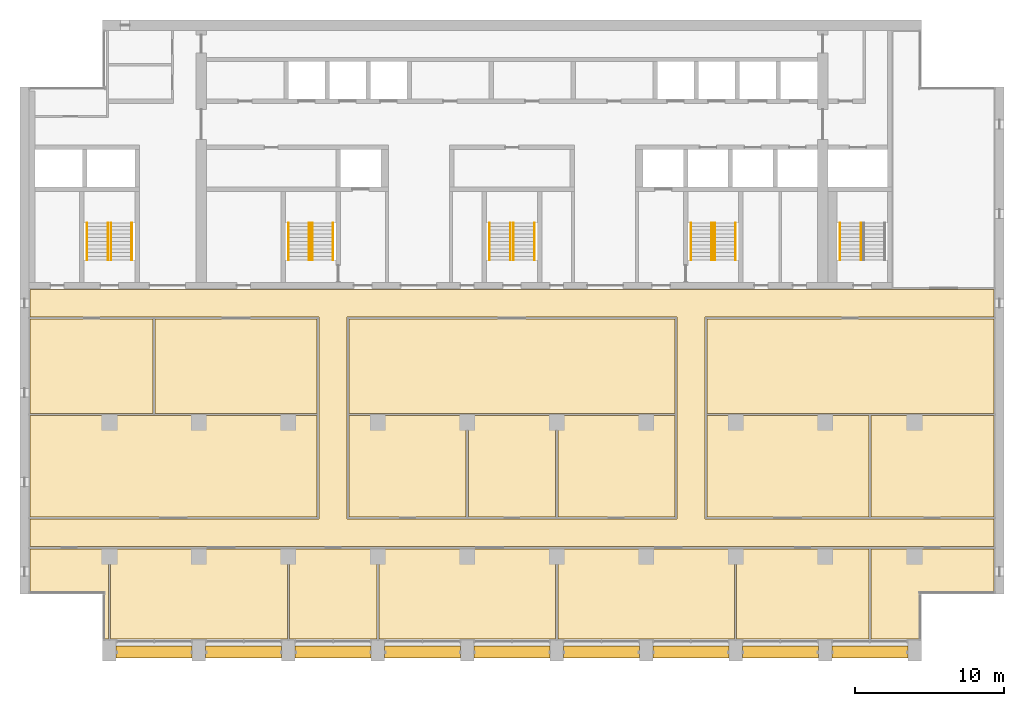
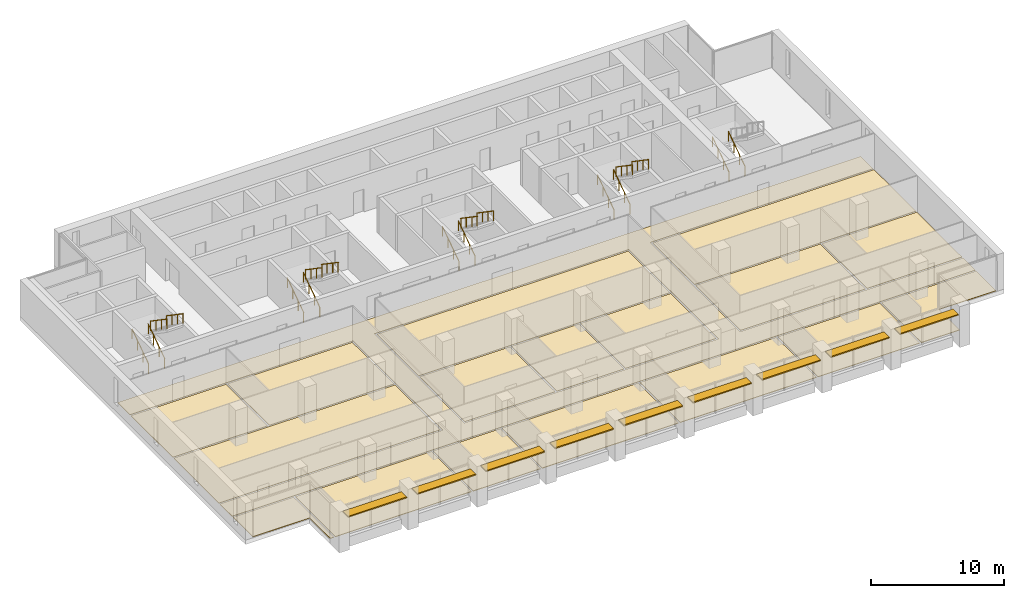
# One storey, part 16 of 17: 18 coverings, 18 railings, 9 shading devices, 5 elements without a shape of their own.
"""IFC4 building model written with IfcOpenShell, lengths in metres."""

import ifcopenshell
import ifcopenshell.guid

model = None  # the IFC model being written
_history = None  # IfcOwnerHistory: only IFC2X3 demands one
_inside = {}  # id of a spatial element -> (the spatial element, [elements in it])
_under = {}  # id of a project, library or spatial element -> (it, [spatial elements below it])
_declared = {}  # id of a project -> (the project, [libraries it declares])
_typed = {}  # id of a type object -> (the type object, [elements of that type])
_made_of = {}  # id of a material, layer set ... -> (it, [elements and type objects made of it])


def new_model(schema):
    """Start an empty IFC model of exactly this schema.

    Asked for "IFC4X3", IfcOpenShell would pick the latest addendum, in which some entities
    have other attributes; the version numbers below select the first issue.
    IFC2X3 requires an IfcOwnerHistory on every rooted entity: one is made here for all.
    """
    global model, _history
    if schema == "IFC4X3":
        model = ifcopenshell.file(schema_version=(4, 3, 0, 0))
    else:
        model = ifcopenshell.file(schema=schema)
    _inside.clear()
    _under.clear()
    _declared.clear()
    _typed.clear()
    _made_of.clear()
    _history = None
    if model.schema == "IFC2X3":
        org = make("IfcOrganization", Name="unknown")
        user = make(
            "IfcPersonAndOrganization",
            ThePerson=make("IfcPerson", FamilyName="unknown"),
            TheOrganization=org,
        )
        app = make(
            "IfcApplication",
            ApplicationDeveloper=org,
            Version="unknown",
            ApplicationFullName="unknown",
            ApplicationIdentifier="unknown",
        )
        _history = make(
            "IfcOwnerHistory",
            OwningUser=user,
            OwningApplication=app,
            ChangeAction="ADDED",
            CreationDate=0,
        )
    return model


def make(cls, **values):
    """One entity of the class cls with the attributes given. An attribute that is None is left unset."""
    return model.create_entity(
        cls, **{name: value for name, value in values.items() if value is not None}
    )


def rooted(cls, **values):
    """An entity with a GlobalId (a new one), such as an element, a storey or a relation."""
    return make(cls, GlobalId=ifcopenshell.guid.new(), OwnerHistory=_history, **values)


def si_unit(unit_type, name, prefix=None):
    """IfcSIUnit, for example si_unit("LENGTHUNIT", "METRE", prefix="MILLI")."""
    return make("IfcSIUnit", UnitType=unit_type, Prefix=prefix, Name=name)


def assignment(units):
    """IfcUnitAssignment: the units of a project."""
    return None if units is None else make("IfcUnitAssignment", Units=units)


def point(xyz):
    """IfcCartesianPoint."""
    return None if xyz is None else make("IfcCartesianPoint", Coordinates=xyz)


def direction(xyz):
    """IfcDirection."""
    return None if xyz is None else make("IfcDirection", DirectionRatios=xyz)


def frame(location, z_axis=None, x_axis=None):
    """IfcAxis2Placement3D, a coordinate frame: its origin and axes. An axis left out is left unset."""
    return make(
        "IfcAxis2Placement3D",
        Location=point(location),
        Axis=direction(z_axis),
        RefDirection=direction(x_axis),
    )


def frame_2d(location, x_axis=None):
    """IfcAxis2Placement2D, a coordinate frame in the plane: its origin and x axis."""
    return make(
        "IfcAxis2Placement2D", Location=point(location), RefDirection=direction(x_axis)
    )


def origin():
    """The frame at (0, 0, 0) with its axes left unset."""
    return frame((0.0, 0.0, 0.0))


def origin_2d():
    """The frame at (0, 0) in the plane with its x axis left unset."""
    return frame_2d((0.0, 0.0))


def place(relative_to, where):
    """IfcLocalPlacement: puts the frame where relative to a parent placement (None: the world)."""
    return make(
        "IfcLocalPlacement", PlacementRelTo=relative_to, RelativePlacement=where
    )


def context(
    kind, dimensions, precision=None, world=None, true_north=None, identifier=None
):
    """IfcGeometricRepresentationContext, for example the 3D "Model" context."""
    return make(
        "IfcGeometricRepresentationContext",
        ContextIdentifier=identifier,
        ContextType=kind,
        CoordinateSpaceDimension=dimensions,
        Precision=precision,
        WorldCoordinateSystem=world,
        TrueNorth=true_north,
    )


def subcontext(parent, identifier, kind, view, scale=None):
    """IfcGeometricRepresentationSubContext, for example "Body" below "Model"."""
    return make(
        "IfcGeometricRepresentationSubContext",
        ContextIdentifier=identifier,
        ContextType=kind,
        ParentContext=parent,
        TargetScale=scale,
        TargetView=view,
    )


def project(units=None, contexts=None):
    """IfcProject with its units and contexts."""
    return rooted(
        "IfcProject",
        Name="project",
        RepresentationContexts=contexts,
        UnitsInContext=assignment(units),
    )


def spatial(cls, under=None, at=None, **own):
    """A site, building, storey or space (cls), placed at a placement, below another one or the project."""
    s = rooted(cls, ObjectPlacement=at, **own)
    if under is not None:
        _under.setdefault(under.id(), (under, []))[1].append(s)
    return s


def polyline(points):
    """IfcPolyline through the points."""
    return make("IfcPolyline", Points=[point(p) for p in points])


def profile(cls, at=None, kind="AREA", **sizes):
    """A parametric profile (cls). Its sizes go by their IFC names, for example OverallWidth=200.0."""
    return make(cls, ProfileType=kind, Position=at, **sizes)


def rectangle(**sizes):
    """IfcRectangleProfileDef."""
    return profile("IfcRectangleProfileDef", **sizes)


def circle(**sizes):
    """IfcCircleProfileDef."""
    return profile("IfcCircleProfileDef", **sizes)


def outline(outer, holes=None, kind="AREA"):
    """IfcArbitraryClosedProfileDef: a profile drawn as a closed curve; with holes, ...WithVoids."""
    if holes is None:
        return make("IfcArbitraryClosedProfileDef", ProfileType=kind, OuterCurve=outer)
    return make(
        "IfcArbitraryProfileDefWithVoids",
        ProfileType=kind,
        OuterCurve=outer,
        InnerCurves=holes,
    )


def extrude(swept, where, along, depth):
    """IfcExtrudedAreaSolid: the profile swept, set in the frame where, extruded along a direction by depth."""
    return make(
        "IfcExtrudedAreaSolid",
        SweptArea=swept,
        Position=where,
        ExtrudedDirection=direction(along),
        Depth=depth,
    )


def shape(context_of_items, identifier, shape_type, items):
    """IfcShapeRepresentation: the items that make up one representation, for example the "Body"."""
    return make(
        "IfcShapeRepresentation",
        ContextOfItems=context_of_items,
        RepresentationIdentifier=identifier,
        RepresentationType=shape_type,
        Items=items,
    )


def material(Name=None, Category=None):
    """IfcMaterial."""
    return make("IfcMaterial", Name=Name, Category=Category)


def layer(
    of_material, thickness, ventilated=None, Name=None, Category=None, Priority=None
):
    """IfcMaterialLayer: one layer of a wall or slab, of a material (None: an air gap)."""
    return make(
        "IfcMaterialLayer",
        Material=of_material,
        LayerThickness=thickness,
        IsVentilated=ventilated,
        Name=Name,
        Category=Category,
        Priority=Priority,
    )


def layer_set(layers, Name=None):
    """IfcMaterialLayerSet."""
    return make("IfcMaterialLayerSet", MaterialLayers=layers, LayerSetName=Name)


def material_profile(
    of_material, cross_section, Name=None, Category=None, Priority=None
):
    """IfcMaterialProfile: a cross section and its material."""
    return make(
        "IfcMaterialProfile",
        Name=Name,
        Material=of_material,
        Profile=cross_section,
        Priority=Priority,
        Category=Category,
    )


def profile_set(profiles, Name=None, composite=None):
    """IfcMaterialProfileSet."""
    return make(
        "IfcMaterialProfileSet",
        Name=Name,
        MaterialProfiles=profiles,
        CompositeProfile=composite,
    )


def made_of(thing, what):
    """Note that an element or type object is made of a material, layer set ...; save() writes the relation."""
    if what is not None:
        _made_of.setdefault(what.id(), (what, []))[1].append(thing)
    return thing


def type_object(cls, material=None, **own):
    """A type object (cls), such as IfcWallType, which elements share."""
    return made_of(rooted(cls, **own), material)


def element(
    cls,
    number,
    at=None,
    inside=None,
    cuts=None,
    type_object=None,
    material=None,
    context=None,
    identifier="Body",
    shape_type=None,
    held_by="IfcProductDefinitionShape",
    body=None,
    shapes=None,
    **own,
):
    """One element of the class cls, such as IfcWall. Its Tag is "e" and its number.

    at: its placement. inside: the storey or other place that contains it. cuts: it is an
    opening in that element (IfcRelVoidsElement). A single representation is given by context,
    identifier, shape_type and body (its items); several are given by shapes. held_by: the class
    of the entity that holds the representations. save() writes the other relations.
    """
    e = rooted(cls, Tag="e%d" % number, ObjectPlacement=at, **own)
    if body is not None:
        shapes = [shape(context, identifier, shape_type, body)]
    if shapes is not None:
        e.Representation = make(held_by, Representations=shapes)
    if inside is not None:
        _inside.setdefault(inside.id(), (inside, []))[1].append(e)
    if cuts is not None:
        rooted(
            "IfcRelVoidsElement", RelatingBuildingElement=cuts, RelatedOpeningElement=e
        )
    if type_object is not None:
        _typed.setdefault(type_object.id(), (type_object, []))[1].append(e)
    return made_of(e, material)


def aggregate(whole, parts):
    """IfcRelAggregates: a whole, such as a stair, and the parts it consists of."""
    return rooted("IfcRelAggregates", RelatingObject=whole, RelatedObjects=parts)


def save(model, path):
    """Write the relations noted so far, then the file.

    IfcRelAggregates (storeys below a building ...), IfcRelContainedInSpatialStructure (elements
    in a storey), IfcRelDefinesByType, IfcRelAssociatesMaterial and IfcRelDeclares: one each for
    every whole, place, type object, material and project.
    """
    for whole, parts in _under.values():
        aggregate(whole, parts)
    for where, things in _inside.values():
        rooted(
            "IfcRelContainedInSpatialStructure",
            RelatedElements=things,
            RelatingStructure=where,
        )
    for kind, things in _typed.values():
        rooted("IfcRelDefinesByType", RelatedObjects=things, RelatingType=kind)
    for what, things in _made_of.values():
        rooted("IfcRelAssociatesMaterial", RelatedObjects=things, RelatingMaterial=what)
    for by, libraries in _declared.values():
        rooted("IfcRelDeclares", RelatingContext=by, RelatedDefinitions=libraries)
    model.write(path)


model = new_model("IFC4")

# Units and contexts
model_context = context("Model", 3, precision=1e-05, world=origin(), true_north=direction((0.0, 1.0)))
body_context = subcontext(model_context, "Body", "Model", "MODEL_VIEW")
ifc_project = project(units=[si_unit("LENGTHUNIT", "METRE"), si_unit("AREAUNIT", "SQUARE_METRE"), si_unit("VOLUMEUNIT", "CUBIC_METRE"), si_unit("PLANEANGLEUNIT", "RADIAN"), si_unit("MASSUNIT", "GRAM", prefix="KILO")], contexts=[model_context])

# Site, building, storey
site_placement = place(None, origin())
site = spatial("IfcSite", under=ifc_project, at=site_placement, CompositionType="ELEMENT")
building_placement = place(site_placement, origin())
building = spatial("IfcBuilding", under=site, at=building_placement, Name="Calvaro Tower", CompositionType="ELEMENT")
storey_placement = place(building_placement, frame((0.0, 0.0, 200.5)))
storey = spatial("IfcBuildingStorey", under=building, at=storey_placement, Name="L50", CompositionType="ELEMENT", Elevation=200.5)

# Shading devices
ifc_material_1 = material(Name="Anodised aluminium", Category="aluminium")
ifc_material_profile = material_profile(ifc_material_1, rectangle(XDim=0.800048828125, YDim=0.10009765625, at=origin_2d()), Name="Brise-soleil blade 800 x 100")
ifc_profile_set = profile_set([ifc_material_profile], Name="Anodised aluminium")
shading_device_type = type_object("IfcShadingDeviceType", Name="Brise-soleil blade 800 x 100", PredefinedType="JALOUSIE", material=ifc_profile_set)
for number, where, z_axis, x_axis, name in (
    (1, (12.449951171875, 3.60009765625, 2.5), (1.0, 0.0, 0.0), (0.0, 1.0, 0.0), "Brise-soleil blade 1"),
    (2, (18.449951171875, 3.60009765625, 2.5), (1.0, 0.0, 0.0), (0.0, 1.0, 0.0), "Brise-soleil blade 2"),
    (3, (24.449951171875, 3.60009765625, 2.5), (1.0, 0.0, 0.0), (0.0, 1.0, 0.0), "Brise-soleil blade 3"),
    (4, (30.449951171875, 3.60009765625, 2.5), (1.0, 0.0, 0.0), (0.0, 1.0, 0.0), "Brise-soleil blade 4"),
    (5, (36.449951171875, 3.60009765625, 2.5), (1.0, 0.0, 0.0), (0.0, 1.0, 0.0), "Brise-soleil blade 5"),
    (6, (42.449951171875, 3.60009765625, 2.5), (1.0, 0.0, 0.0), (0.0, 1.0, 0.0), "Brise-soleil blade 6"),
    (7, (48.449951171875, 3.60009765625, 2.5), (1.0, 0.0, 0.0), (0.0, 1.0, 0.0), "Brise-soleil blade 7"),
    (8, (54.449951171875, 3.60009765625, 2.5), (1.0, 0.0, 0.0), (0.0, 1.0, 0.0), "Brise-soleil blade 8"),
    (9, (60.449951171875, 3.60009765625, 2.5), (1.0, 0.0, 0.0), (0.0, 1.0, 0.0), "Brise-soleil blade 9"),
):
    element("IfcShadingDevice", number, at=place(storey_placement, frame(where, z_axis=z_axis, x_axis=x_axis)), inside=storey, type_object=shading_device_type, Name=name, PredefinedType="JALOUSIE", context=body_context, shape_type="SweptSolid", body=[
        extrude(rectangle(XDim=0.800048828125, YDim=0.10009765625, at=origin_2d()), origin(), (0.0, 0.0, 1.0), 5.10009765625),
    ])

# Coverings
ifc_material_2 = material(Name="Cement screed with carpet tile finish")
ifc_layer = layer(ifc_material_2, 0.050048828125)
ifc_layer_set = layer_set([ifc_layer], Name="Cement screed with carpet tile finish")
covering_type = type_object("IfcCoveringType", Name="Floor finish 50", PredefinedType="FLOORING", material=ifc_layer_set)
covering_1_placement = place(storey_placement, origin())
element("IfcCovering", 10, at=covering_1_placement, inside=storey, type_object=covering_type, Name="Floor finish 29.01", PredefinedType="FLOORING", context=body_context, shape_type="SweptSolid", body=[
    extrude(outline(polyline([(6.669921875, 10.669921875), (6.669921875, 12.530029296875), (26.070068359375, 12.530029296875), (26.070068359375, 26.070068359375), (6.669921875, 26.070068359375), (6.669921875, 27.929931640625), (71.330078125, 27.929931640625), (71.330078125, 26.070068359375), (51.929931640625, 26.070068359375), (51.929931640625, 12.530029296875), (71.330078125, 12.530029296875), (71.330078125, 10.669921875), (6.669921875, 10.669921875)]), holes=[polyline([(50.070068359375, 12.530029296875), (50.070068359375, 26.070068359375), (27.929931640625, 26.070068359375), (27.929931640625, 12.530029296875), (50.070068359375, 12.530029296875)])]), origin(), (0.0, 0.0, 1.0), 0.050048828125),
])
covering_2_placement = place(storey_placement, origin())
element("IfcCovering", 11, at=covering_2_placement, inside=storey, type_object=covering_type, Name="Floor finish 29.08", PredefinedType="FLOORING", context=body_context, shape_type="SweptSolid", body=[
    extrude(outline(polyline([(11.929931640625, 10.530029296875), (11.929931640625, 4.469970703125), (11.6201171875, 4.469970703125), (11.6201171875, 7.570068359375), (6.669921875, 7.570068359375), (6.669921875, 10.530029296875), (11.929931640625, 10.530029296875)])), origin(), (0.0, 0.0, 1.0), 0.050048828125),
])
covering_3_placement = place(storey_placement, origin())
element("IfcCovering", 12, at=covering_3_placement, inside=storey, type_object=covering_type, Name="Floor finish 29.02", PredefinedType="FLOORING", context=body_context, shape_type="SweptSolid", body=[
    extrude(outline(polyline([(12.070068359375, 10.530029296875), (23.929931640625, 10.530029296875), (23.929931640625, 4.469970703125), (12.070068359375, 4.469970703125), (12.070068359375, 10.530029296875)])), origin(), (0.0, 0.0, 1.0), 0.050048828125),
])
covering_4_placement = place(storey_placement, origin())
element("IfcCovering", 13, at=covering_4_placement, inside=storey, type_object=covering_type, Name="Floor finish 29.03", PredefinedType="FLOORING", context=body_context, shape_type="SweptSolid", body=[
    extrude(outline(polyline([(24.070068359375, 10.530029296875), (29.929931640625, 10.530029296875), (29.929931640625, 4.469970703125), (24.070068359375, 4.469970703125), (24.070068359375, 10.530029296875)])), origin(), (0.0, 0.0, 1.0), 0.050048828125),
])
covering_5_placement = place(storey_placement, origin())
element("IfcCovering", 14, at=covering_5_placement, inside=storey, type_object=covering_type, Name="Floor finish 29.04", PredefinedType="FLOORING", context=body_context, shape_type="SweptSolid", body=[
    extrude(outline(polyline([(30.070068359375, 10.530029296875), (41.929931640625, 10.530029296875), (41.929931640625, 4.469970703125), (30.070068359375, 4.469970703125), (30.070068359375, 10.530029296875)])), origin(), (0.0, 0.0, 1.0), 0.050048828125),
])
covering_6_placement = place(storey_placement, origin())
element("IfcCovering", 15, at=covering_6_placement, inside=storey, type_object=covering_type, Name="Floor finish 29.05", PredefinedType="FLOORING", context=body_context, shape_type="SweptSolid", body=[
    extrude(outline(polyline([(42.070068359375, 10.530029296875), (53.929931640625, 10.530029296875), (53.929931640625, 4.469970703125), (42.070068359375, 4.469970703125), (42.070068359375, 10.530029296875)])), origin(), (0.0, 0.0, 1.0), 0.050048828125),
])
covering_7_placement = place(storey_placement, origin())
element("IfcCovering", 16, at=covering_7_placement, inside=storey, type_object=covering_type, Name="Floor finish 29.06", PredefinedType="FLOORING", context=body_context, shape_type="SweptSolid", body=[
    extrude(outline(polyline([(54.070068359375, 10.530029296875), (62.929931640625, 10.530029296875), (62.929931640625, 4.469970703125), (54.070068359375, 4.469970703125), (54.070068359375, 10.530029296875)])), origin(), (0.0, 0.0, 1.0), 0.050048828125),
])
covering_8_placement = place(storey_placement, origin())
element("IfcCovering", 17, at=covering_8_placement, inside=storey, type_object=covering_type, Name="Floor finish 29.07", PredefinedType="FLOORING", context=body_context, shape_type="SweptSolid", body=[
    extrude(outline(polyline([(71.330078125, 7.570068359375), (66.3798828125, 7.570068359375), (66.3798828125, 4.469970703125), (63.070068359375, 4.469970703125), (63.070068359375, 10.530029296875), (71.330078125, 10.530029296875), (71.330078125, 7.570068359375)])), origin(), (0.0, 0.0, 1.0), 0.050048828125),
])
covering_9_placement = place(storey_placement, origin())
element("IfcCovering", 18, at=covering_9_placement, inside=storey, type_object=covering_type, Name="Floor finish 29.09", PredefinedType="FLOORING", context=body_context, shape_type="SweptSolid", body=[
    extrude(outline(polyline([(25.929931640625, 19.47998046875), (25.929931640625, 12.669921875), (6.669921875, 12.669921875), (6.669921875, 19.47998046875), (25.929931640625, 19.47998046875)])), origin(), (0.0, 0.0, 1.0), 0.050048828125),
])
covering_10_placement = place(storey_placement, origin())
element("IfcCovering", 19, at=covering_10_placement, inside=storey, type_object=covering_type, Name="Floor finish 29.15", PredefinedType="FLOORING", context=body_context, shape_type="SweptSolid", body=[
    extrude(outline(polyline([(14.929931640625, 25.929931640625), (14.929931640625, 19.6201171875), (6.669921875, 19.6201171875), (6.669921875, 25.929931640625), (14.929931640625, 25.929931640625)])), origin(), (0.0, 0.0, 1.0), 0.050048828125),
])
covering_11_placement = place(storey_placement, origin())
element("IfcCovering", 20, at=covering_11_placement, inside=storey, type_object=covering_type, Name="Floor finish 29.16", PredefinedType="FLOORING", context=body_context, shape_type="SweptSolid", body=[
    extrude(outline(polyline([(15.070068359375, 19.6201171875), (15.070068359375, 25.929931640625), (25.929931640625, 25.929931640625), (25.929931640625, 19.6201171875), (15.070068359375, 19.6201171875)])), origin(), (0.0, 0.0, 1.0), 0.050048828125),
])
covering_12_placement = place(storey_placement, origin())
element("IfcCovering", 21, at=covering_12_placement, inside=storey, type_object=covering_type, Name="Floor finish 29.10", PredefinedType="FLOORING", context=body_context, shape_type="SweptSolid", body=[
    extrude(outline(polyline([(28.070068359375, 12.669921875), (28.070068359375, 19.47998046875), (35.929931640625, 19.47998046875), (35.929931640625, 12.669921875), (28.070068359375, 12.669921875)])), origin(), (0.0, 0.0, 1.0), 0.050048828125),
])
covering_13_placement = place(storey_placement, origin())
element("IfcCovering", 22, at=covering_13_placement, inside=storey, type_object=covering_type, Name="Floor finish 29.11", PredefinedType="FLOORING", context=body_context, shape_type="SweptSolid", body=[
    extrude(outline(polyline([(36.070068359375, 12.669921875), (36.070068359375, 19.47998046875), (41.929931640625, 19.47998046875), (41.929931640625, 12.669921875), (36.070068359375, 12.669921875)])), origin(), (0.0, 0.0, 1.0), 0.050048828125),
])
covering_14_placement = place(storey_placement, origin())
element("IfcCovering", 23, at=covering_14_placement, inside=storey, type_object=covering_type, Name="Floor finish 29.12", PredefinedType="FLOORING", context=body_context, shape_type="SweptSolid", body=[
    extrude(outline(polyline([(42.070068359375, 12.669921875), (42.070068359375, 19.47998046875), (49.929931640625, 19.47998046875), (49.929931640625, 12.669921875), (42.070068359375, 12.669921875)])), origin(), (0.0, 0.0, 1.0), 0.050048828125),
])
covering_15_placement = place(storey_placement, origin())
element("IfcCovering", 24, at=covering_15_placement, inside=storey, type_object=covering_type, Name="Floor finish 29.17", PredefinedType="FLOORING", context=body_context, shape_type="SweptSolid", body=[
    extrude(outline(polyline([(28.070068359375, 19.6201171875), (28.070068359375, 25.929931640625), (49.929931640625, 25.929931640625), (49.929931640625, 19.6201171875), (28.070068359375, 19.6201171875)])), origin(), (0.0, 0.0, 1.0), 0.050048828125),
])
covering_16_placement = place(storey_placement, origin())
element("IfcCovering", 25, at=covering_16_placement, inside=storey, type_object=covering_type, Name="Floor finish 29.13", PredefinedType="FLOORING", context=body_context, shape_type="SweptSolid", body=[
    extrude(outline(polyline([(52.070068359375, 12.669921875), (52.070068359375, 19.47998046875), (62.929931640625, 19.47998046875), (62.929931640625, 12.669921875), (52.070068359375, 12.669921875)])), origin(), (0.0, 0.0, 1.0), 0.050048828125),
])
covering_17_placement = place(storey_placement, origin())
element("IfcCovering", 26, at=covering_17_placement, inside=storey, type_object=covering_type, Name="Floor finish 29.14", PredefinedType="FLOORING", context=body_context, shape_type="SweptSolid", body=[
    extrude(outline(polyline([(71.330078125, 12.669921875), (63.070068359375, 12.669921875), (63.070068359375, 19.47998046875), (71.330078125, 19.47998046875), (71.330078125, 12.669921875)])), origin(), (0.0, 0.0, 1.0), 0.050048828125),
])
covering_18_placement = place(storey_placement, origin())
element("IfcCovering", 27, at=covering_18_placement, inside=storey, type_object=covering_type, Name="Floor finish 29.18", PredefinedType="FLOORING", context=body_context, shape_type="SweptSolid", body=[
    extrude(outline(polyline([(71.330078125, 19.6201171875), (52.070068359375, 19.6201171875), (52.070068359375, 25.929931640625), (71.330078125, 25.929931640625), (71.330078125, 19.6201171875)])), origin(), (0.0, 0.0, 1.0), 0.050048828125),
])

# Stair, railings
ifc_material_3 = material(Name="Concrete C40/50", Category="concrete")
stair_type = type_object("IfcStairType", Name="Exit stair 1400 2 flights", PredefinedType="HALF_TURN_STAIR", material=ifc_material_3)
stair_1_placement = place(storey_placement, origin())
stair_1 = element("IfcStair", 28, at=stair_1_placement, inside=storey, type_object=stair_type, Name="Exit stair S1", PredefinedType="HALF_TURN_STAIR")
ifc_material_4 = material(Name="Stainless steel", Category="steel")
railing_type = type_object("IfcRailingType", Name="Stair handrail", PredefinedType="HANDRAIL", material=ifc_material_4)
railing_1_placement = place(storey_placement, frame((11.89990234375, 29.89990234375, 0.17041015625)))
railing_1 = element("IfcRailing", 29, at=railing_1_placement, type_object=railing_type, Name="Exit stair 1 handrail", PredefinedType="HANDRAIL", context=body_context, shape_type="SweptSolid", body=[
    extrude(circle(Radius=0.02392578125, at=origin_2d()), frame((0.0, 0.0, 0.8759765625), z_axis=(0.0, 0.826220514629, 0.563346839174), x_axis=(-1.0, 0.0, 0.0)), (0.0, 0.0, 1.0), 3.02587890625),
    extrude(circle(Radius=0.02099609375, at=origin_2d()), frame((0.0, 0.017333984375, 0.01171875)), (0.0, 0.0, 1.0), 0.851806640625),
    extrude(circle(Radius=0.02099609375, at=origin_2d()), frame((0.0, 0.833251953125, 0.568115234375)), (0.0, 0.0, 1.0), 0.851806640625),
    extrude(circle(Radius=0.02099609375, at=origin_2d()), frame((0.0, 1.666748046875, 1.136474609375)), (0.0, 0.0, 1.0), 0.851806640625),
    extrude(circle(Radius=0.02099609375, at=origin_2d()), frame((0.0, 2.482666015625, 1.69287109375)), (0.0, 0.0, 1.0), 0.851806640625),
])
railing_2_placement = place(storey_placement, frame((10.5, 29.89990234375, 0.17041015625)))
railing_2 = element("IfcRailing", 30, at=railing_2_placement, type_object=railing_type, Name="Exit stair 1 handrail", PredefinedType="HANDRAIL", context=body_context, shape_type="SweptSolid", body=[
    extrude(circle(Radius=0.02392578125, at=origin_2d()), frame((0.0, 0.0, 0.8759765625), z_axis=(0.0, 0.826220514629, 0.563346839174), x_axis=(-1.0, 0.0, 0.0)), (0.0, 0.0, 1.0), 3.02587890625),
    extrude(circle(Radius=0.02099609375, at=origin_2d()), frame((0.0, 0.017333984375, 0.01171875)), (0.0, 0.0, 1.0), 0.851806640625),
    extrude(circle(Radius=0.02099609375, at=origin_2d()), frame((0.0, 0.833251953125, 0.568115234375)), (0.0, 0.0, 1.0), 0.851806640625),
    extrude(circle(Radius=0.02099609375, at=origin_2d()), frame((0.0, 1.666748046875, 1.136474609375)), (0.0, 0.0, 1.0), 0.851806640625),
    extrude(circle(Radius=0.02099609375, at=origin_2d()), frame((0.0, 2.482666015625, 1.69287109375)), (0.0, 0.0, 1.0), 0.851806640625),
])
railing_3_placement = place(storey_placement, frame((12.10009765625, 32.39990234375, 2.04541015625)))
railing_3 = element("IfcRailing", 31, at=railing_3_placement, type_object=railing_type, Name="Exit stair 1 handrail", PredefinedType="HANDRAIL", context=body_context, shape_type="SweptSolid", body=[
    extrude(circle(Radius=0.02392578125, at=origin_2d()), frame((0.0, 0.0, 0.8759765625), z_axis=(0.0, -0.826220514629, 0.563346839174), x_axis=(1.0, 0.0, 0.0)), (0.0, 0.0, 1.0), 3.02587890625),
    extrude(circle(Radius=0.02099609375, at=origin_2d()), frame((0.0, -0.017333984375, 0.01171875)), (0.0, 0.0, 1.0), 0.851806640625),
    extrude(circle(Radius=0.02099609375, at=origin_2d()), frame((0.0, -0.833251953125, 0.568115234375)), (0.0, 0.0, 1.0), 0.851806640625),
    extrude(circle(Radius=0.02099609375, at=origin_2d()), frame((0.0, -1.666748046875, 1.136474609375)), (0.0, 0.0, 1.0), 0.851806640625),
    extrude(circle(Radius=0.02099609375, at=origin_2d()), frame((0.0, -2.482666015625, 1.69287109375)), (0.0, 0.0, 1.0), 0.851806640625),
])
railing_4_placement = place(storey_placement, frame((13.5, 32.39990234375, 2.04541015625)))
railing_4 = element("IfcRailing", 32, at=railing_4_placement, type_object=railing_type, Name="Exit stair 1 handrail", PredefinedType="HANDRAIL", context=body_context, shape_type="SweptSolid", body=[
    extrude(circle(Radius=0.02392578125, at=origin_2d()), frame((0.0, 0.0, 0.8759765625), z_axis=(0.0, -0.826220514629, 0.563346839174), x_axis=(1.0, 0.0, 0.0)), (0.0, 0.0, 1.0), 3.02587890625),
    extrude(circle(Radius=0.02099609375, at=origin_2d()), frame((0.0, -0.017333984375, 0.01171875)), (0.0, 0.0, 1.0), 0.851806640625),
    extrude(circle(Radius=0.02099609375, at=origin_2d()), frame((0.0, -0.833251953125, 0.568115234375)), (0.0, 0.0, 1.0), 0.851806640625),
    extrude(circle(Radius=0.02099609375, at=origin_2d()), frame((0.0, -1.666748046875, 1.136474609375)), (0.0, 0.0, 1.0), 0.851806640625),
    extrude(circle(Radius=0.02099609375, at=origin_2d()), frame((0.0, -2.482666015625, 1.69287109375)), (0.0, 0.0, 1.0), 0.851806640625),
])
aggregate(stair_1, [railing_1, railing_2, railing_3, railing_4])

stair_2_placement = place(storey_placement, origin())
stair_2 = element("IfcStair", 33, at=stair_2_placement, inside=storey, type_object=stair_type, Name="Exit stair S2", PredefinedType="HALF_TURN_STAIR")
railing_5_placement = place(storey_placement, frame((25.39990234375, 29.89990234375, 0.17041015625)))
railing_5 = element("IfcRailing", 34, at=railing_5_placement, type_object=railing_type, Name="Exit stair 2 handrail", PredefinedType="HANDRAIL", context=body_context, shape_type="SweptSolid", body=[
    extrude(circle(Radius=0.02392578125, at=origin_2d()), frame((0.0, 0.0, 0.8759765625), z_axis=(0.0, 0.826220514629, 0.563346839174), x_axis=(-1.0, 0.0, 0.0)), (0.0, 0.0, 1.0), 3.02587890625),
    extrude(circle(Radius=0.02099609375, at=origin_2d()), frame((0.0, 0.017333984375, 0.01171875)), (0.0, 0.0, 1.0), 0.851806640625),
    extrude(circle(Radius=0.02099609375, at=origin_2d()), frame((0.0, 0.833251953125, 0.568115234375)), (0.0, 0.0, 1.0), 0.851806640625),
    extrude(circle(Radius=0.02099609375, at=origin_2d()), frame((0.0, 1.666748046875, 1.136474609375)), (0.0, 0.0, 1.0), 0.851806640625),
    extrude(circle(Radius=0.02099609375, at=origin_2d()), frame((0.0, 2.482666015625, 1.69287109375)), (0.0, 0.0, 1.0), 0.851806640625),
])
railing_6_placement = place(storey_placement, frame((24.0, 29.89990234375, 0.17041015625)))
railing_6 = element("IfcRailing", 35, at=railing_6_placement, type_object=railing_type, Name="Exit stair 2 handrail", PredefinedType="HANDRAIL", context=body_context, shape_type="SweptSolid", body=[
    extrude(circle(Radius=0.02392578125, at=origin_2d()), frame((0.0, 0.0, 0.8759765625), z_axis=(0.0, 0.826220514629, 0.563346839174), x_axis=(-1.0, 0.0, 0.0)), (0.0, 0.0, 1.0), 3.02587890625),
    extrude(circle(Radius=0.02099609375, at=origin_2d()), frame((0.0, 0.017333984375, 0.01171875)), (0.0, 0.0, 1.0), 0.851806640625),
    extrude(circle(Radius=0.02099609375, at=origin_2d()), frame((0.0, 0.833251953125, 0.568115234375)), (0.0, 0.0, 1.0), 0.851806640625),
    extrude(circle(Radius=0.02099609375, at=origin_2d()), frame((0.0, 1.666748046875, 1.136474609375)), (0.0, 0.0, 1.0), 0.851806640625),
    extrude(circle(Radius=0.02099609375, at=origin_2d()), frame((0.0, 2.482666015625, 1.69287109375)), (0.0, 0.0, 1.0), 0.851806640625),
])
railing_7_placement = place(storey_placement, frame((25.60009765625, 32.39990234375, 2.04541015625)))
railing_7 = element("IfcRailing", 36, at=railing_7_placement, type_object=railing_type, Name="Exit stair 2 handrail", PredefinedType="HANDRAIL", context=body_context, shape_type="SweptSolid", body=[
    extrude(circle(Radius=0.02392578125, at=origin_2d()), frame((0.0, 0.0, 0.8759765625), z_axis=(0.0, -0.826220514629, 0.563346839174), x_axis=(1.0, 0.0, 0.0)), (0.0, 0.0, 1.0), 3.02587890625),
    extrude(circle(Radius=0.02099609375, at=origin_2d()), frame((0.0, -0.017333984375, 0.01171875)), (0.0, 0.0, 1.0), 0.851806640625),
    extrude(circle(Radius=0.02099609375, at=origin_2d()), frame((0.0, -0.833251953125, 0.568115234375)), (0.0, 0.0, 1.0), 0.851806640625),
    extrude(circle(Radius=0.02099609375, at=origin_2d()), frame((0.0, -1.666748046875, 1.136474609375)), (0.0, 0.0, 1.0), 0.851806640625),
    extrude(circle(Radius=0.02099609375, at=origin_2d()), frame((0.0, -2.482666015625, 1.69287109375)), (0.0, 0.0, 1.0), 0.851806640625),
])
railing_8_placement = place(storey_placement, frame((27.0, 32.39990234375, 2.04541015625)))
railing_8 = element("IfcRailing", 37, at=railing_8_placement, type_object=railing_type, Name="Exit stair 2 handrail", PredefinedType="HANDRAIL", context=body_context, shape_type="SweptSolid", body=[
    extrude(circle(Radius=0.02392578125, at=origin_2d()), frame((0.0, 0.0, 0.8759765625), z_axis=(0.0, -0.826220514629, 0.563346839174), x_axis=(1.0, 0.0, 0.0)), (0.0, 0.0, 1.0), 3.02587890625),
    extrude(circle(Radius=0.02099609375, at=origin_2d()), frame((0.0, -0.017333984375, 0.01171875)), (0.0, 0.0, 1.0), 0.851806640625),
    extrude(circle(Radius=0.02099609375, at=origin_2d()), frame((0.0, -0.833251953125, 0.568115234375)), (0.0, 0.0, 1.0), 0.851806640625),
    extrude(circle(Radius=0.02099609375, at=origin_2d()), frame((0.0, -1.666748046875, 1.136474609375)), (0.0, 0.0, 1.0), 0.851806640625),
    extrude(circle(Radius=0.02099609375, at=origin_2d()), frame((0.0, -2.482666015625, 1.69287109375)), (0.0, 0.0, 1.0), 0.851806640625),
])
aggregate(stair_2, [railing_5, railing_6, railing_7, railing_8])

stair_3_placement = place(storey_placement, origin())
stair_3 = element("IfcStair", 38, at=stair_3_placement, inside=storey, type_object=stair_type, Name="Exit stair S3", PredefinedType="HALF_TURN_STAIR")
railing_9_placement = place(storey_placement, frame((38.89990234375, 29.89990234375, 0.17041015625)))
railing_9 = element("IfcRailing", 39, at=railing_9_placement, type_object=railing_type, Name="Exit stair 3 handrail", PredefinedType="HANDRAIL", context=body_context, shape_type="SweptSolid", body=[
    extrude(circle(Radius=0.02392578125, at=origin_2d()), frame((0.0, 0.0, 0.8759765625), z_axis=(0.0, 0.826220514629, 0.563346839174), x_axis=(-1.0, 0.0, 0.0)), (0.0, 0.0, 1.0), 3.02587890625),
    extrude(circle(Radius=0.02099609375, at=origin_2d()), frame((0.0, 0.017333984375, 0.01171875)), (0.0, 0.0, 1.0), 0.851806640625),
    extrude(circle(Radius=0.02099609375, at=origin_2d()), frame((0.0, 0.833251953125, 0.568115234375)), (0.0, 0.0, 1.0), 0.851806640625),
    extrude(circle(Radius=0.02099609375, at=origin_2d()), frame((0.0, 1.666748046875, 1.136474609375)), (0.0, 0.0, 1.0), 0.851806640625),
    extrude(circle(Radius=0.02099609375, at=origin_2d()), frame((0.0, 2.482666015625, 1.69287109375)), (0.0, 0.0, 1.0), 0.851806640625),
])
railing_10_placement = place(storey_placement, frame((37.5, 29.89990234375, 0.17041015625)))
railing_10 = element("IfcRailing", 40, at=railing_10_placement, type_object=railing_type, Name="Exit stair 3 handrail", PredefinedType="HANDRAIL", context=body_context, shape_type="SweptSolid", body=[
    extrude(circle(Radius=0.02392578125, at=origin_2d()), frame((0.0, 0.0, 0.8759765625), z_axis=(0.0, 0.826220514629, 0.563346839174), x_axis=(-1.0, 0.0, 0.0)), (0.0, 0.0, 1.0), 3.02587890625),
    extrude(circle(Radius=0.02099609375, at=origin_2d()), frame((0.0, 0.017333984375, 0.01171875)), (0.0, 0.0, 1.0), 0.851806640625),
    extrude(circle(Radius=0.02099609375, at=origin_2d()), frame((0.0, 0.833251953125, 0.568115234375)), (0.0, 0.0, 1.0), 0.851806640625),
    extrude(circle(Radius=0.02099609375, at=origin_2d()), frame((0.0, 1.666748046875, 1.136474609375)), (0.0, 0.0, 1.0), 0.851806640625),
    extrude(circle(Radius=0.02099609375, at=origin_2d()), frame((0.0, 2.482666015625, 1.69287109375)), (0.0, 0.0, 1.0), 0.851806640625),
])
railing_11_placement = place(storey_placement, frame((39.10009765625, 32.39990234375, 2.04541015625)))
railing_11 = element("IfcRailing", 41, at=railing_11_placement, type_object=railing_type, Name="Exit stair 3 handrail", PredefinedType="HANDRAIL", context=body_context, shape_type="SweptSolid", body=[
    extrude(circle(Radius=0.02392578125, at=origin_2d()), frame((0.0, 0.0, 0.8759765625), z_axis=(0.0, -0.826220514629, 0.563346839174), x_axis=(1.0, 0.0, 0.0)), (0.0, 0.0, 1.0), 3.02587890625),
    extrude(circle(Radius=0.02099609375, at=origin_2d()), frame((0.0, -0.017333984375, 0.01171875)), (0.0, 0.0, 1.0), 0.851806640625),
    extrude(circle(Radius=0.02099609375, at=origin_2d()), frame((0.0, -0.833251953125, 0.568115234375)), (0.0, 0.0, 1.0), 0.851806640625),
    extrude(circle(Radius=0.02099609375, at=origin_2d()), frame((0.0, -1.666748046875, 1.136474609375)), (0.0, 0.0, 1.0), 0.851806640625),
    extrude(circle(Radius=0.02099609375, at=origin_2d()), frame((0.0, -2.482666015625, 1.69287109375)), (0.0, 0.0, 1.0), 0.851806640625),
])
railing_12_placement = place(storey_placement, frame((40.5, 32.39990234375, 2.04541015625)))
railing_12 = element("IfcRailing", 42, at=railing_12_placement, type_object=railing_type, Name="Exit stair 3 handrail", PredefinedType="HANDRAIL", context=body_context, shape_type="SweptSolid", body=[
    extrude(circle(Radius=0.02392578125, at=origin_2d()), frame((0.0, 0.0, 0.8759765625), z_axis=(0.0, -0.826220514629, 0.563346839174), x_axis=(1.0, 0.0, 0.0)), (0.0, 0.0, 1.0), 3.02587890625),
    extrude(circle(Radius=0.02099609375, at=origin_2d()), frame((0.0, -0.017333984375, 0.01171875)), (0.0, 0.0, 1.0), 0.851806640625),
    extrude(circle(Radius=0.02099609375, at=origin_2d()), frame((0.0, -0.833251953125, 0.568115234375)), (0.0, 0.0, 1.0), 0.851806640625),
    extrude(circle(Radius=0.02099609375, at=origin_2d()), frame((0.0, -1.666748046875, 1.136474609375)), (0.0, 0.0, 1.0), 0.851806640625),
    extrude(circle(Radius=0.02099609375, at=origin_2d()), frame((0.0, -2.482666015625, 1.69287109375)), (0.0, 0.0, 1.0), 0.851806640625),
])
aggregate(stair_3, [railing_9, railing_10, railing_11, railing_12])

stair_4_placement = place(storey_placement, origin())
stair_4 = element("IfcStair", 43, at=stair_4_placement, inside=storey, type_object=stair_type, Name="Exit stair S4", PredefinedType="HALF_TURN_STAIR")
railing_13_placement = place(storey_placement, frame((52.39990234375, 29.89990234375, 0.17041015625)))
railing_13 = element("IfcRailing", 44, at=railing_13_placement, type_object=railing_type, Name="Exit stair 4 handrail", PredefinedType="HANDRAIL", context=body_context, shape_type="SweptSolid", body=[
    extrude(circle(Radius=0.02392578125, at=origin_2d()), frame((0.0, 0.0, 0.8759765625), z_axis=(0.0, 0.826220514629, 0.563346839174), x_axis=(-1.0, 0.0, 0.0)), (0.0, 0.0, 1.0), 3.02587890625),
    extrude(circle(Radius=0.02099609375, at=origin_2d()), frame((0.0, 0.017333984375, 0.01171875)), (0.0, 0.0, 1.0), 0.851806640625),
    extrude(circle(Radius=0.02099609375, at=origin_2d()), frame((0.0, 0.833251953125, 0.568115234375)), (0.0, 0.0, 1.0), 0.851806640625),
    extrude(circle(Radius=0.02099609375, at=origin_2d()), frame((0.0, 1.666748046875, 1.136474609375)), (0.0, 0.0, 1.0), 0.851806640625),
    extrude(circle(Radius=0.02099609375, at=origin_2d()), frame((0.0, 2.482666015625, 1.69287109375)), (0.0, 0.0, 1.0), 0.851806640625),
])
railing_14_placement = place(storey_placement, frame((51.0, 29.89990234375, 0.17041015625)))
railing_14 = element("IfcRailing", 45, at=railing_14_placement, type_object=railing_type, Name="Exit stair 4 handrail", PredefinedType="HANDRAIL", context=body_context, shape_type="SweptSolid", body=[
    extrude(circle(Radius=0.02392578125, at=origin_2d()), frame((0.0, 0.0, 0.8759765625), z_axis=(0.0, 0.826220514629, 0.563346839174), x_axis=(-1.0, 0.0, 0.0)), (0.0, 0.0, 1.0), 3.02587890625),
    extrude(circle(Radius=0.02099609375, at=origin_2d()), frame((0.0, 0.017333984375, 0.01171875)), (0.0, 0.0, 1.0), 0.851806640625),
    extrude(circle(Radius=0.02099609375, at=origin_2d()), frame((0.0, 0.833251953125, 0.568115234375)), (0.0, 0.0, 1.0), 0.851806640625),
    extrude(circle(Radius=0.02099609375, at=origin_2d()), frame((0.0, 1.666748046875, 1.136474609375)), (0.0, 0.0, 1.0), 0.851806640625),
    extrude(circle(Radius=0.02099609375, at=origin_2d()), frame((0.0, 2.482666015625, 1.69287109375)), (0.0, 0.0, 1.0), 0.851806640625),
])
railing_15_placement = place(storey_placement, frame((52.60009765625, 32.39990234375, 2.04541015625)))
railing_15 = element("IfcRailing", 46, at=railing_15_placement, type_object=railing_type, Name="Exit stair 4 handrail", PredefinedType="HANDRAIL", context=body_context, shape_type="SweptSolid", body=[
    extrude(circle(Radius=0.02392578125, at=origin_2d()), frame((0.0, 0.0, 0.8759765625), z_axis=(0.0, -0.826220514629, 0.563346839174), x_axis=(1.0, 0.0, 0.0)), (0.0, 0.0, 1.0), 3.02587890625),
    extrude(circle(Radius=0.02099609375, at=origin_2d()), frame((0.0, -0.017333984375, 0.01171875)), (0.0, 0.0, 1.0), 0.851806640625),
    extrude(circle(Radius=0.02099609375, at=origin_2d()), frame((0.0, -0.833251953125, 0.568115234375)), (0.0, 0.0, 1.0), 0.851806640625),
    extrude(circle(Radius=0.02099609375, at=origin_2d()), frame((0.0, -1.666748046875, 1.136474609375)), (0.0, 0.0, 1.0), 0.851806640625),
    extrude(circle(Radius=0.02099609375, at=origin_2d()), frame((0.0, -2.482666015625, 1.69287109375)), (0.0, 0.0, 1.0), 0.851806640625),
])
railing_16_placement = place(storey_placement, frame((54.0, 32.39990234375, 2.04541015625)))
railing_16 = element("IfcRailing", 47, at=railing_16_placement, type_object=railing_type, Name="Exit stair 4 handrail", PredefinedType="HANDRAIL", context=body_context, shape_type="SweptSolid", body=[
    extrude(circle(Radius=0.02392578125, at=origin_2d()), frame((0.0, 0.0, 0.8759765625), z_axis=(0.0, -0.826220514629, 0.563346839174), x_axis=(1.0, 0.0, 0.0)), (0.0, 0.0, 1.0), 3.02587890625),
    extrude(circle(Radius=0.02099609375, at=origin_2d()), frame((0.0, -0.017333984375, 0.01171875)), (0.0, 0.0, 1.0), 0.851806640625),
    extrude(circle(Radius=0.02099609375, at=origin_2d()), frame((0.0, -0.833251953125, 0.568115234375)), (0.0, 0.0, 1.0), 0.851806640625),
    extrude(circle(Radius=0.02099609375, at=origin_2d()), frame((0.0, -1.666748046875, 1.136474609375)), (0.0, 0.0, 1.0), 0.851806640625),
    extrude(circle(Radius=0.02099609375, at=origin_2d()), frame((0.0, -2.482666015625, 1.69287109375)), (0.0, 0.0, 1.0), 0.851806640625),
])
aggregate(stair_4, [railing_13, railing_14, railing_15, railing_16])

stair_5_placement = place(storey_placement, origin())
stair_5 = element("IfcStair", 48, at=stair_5_placement, inside=storey, type_object=stair_type, Name="Exit stair S5", PredefinedType="HALF_TURN_STAIR")
railing_17_placement = place(storey_placement, frame((62.39990234375, 29.89990234375, 0.17041015625)))
railing_17 = element("IfcRailing", 49, at=railing_17_placement, type_object=railing_type, Name="Exit stair 5 handrail", PredefinedType="HANDRAIL", context=body_context, shape_type="SweptSolid", body=[
    extrude(circle(Radius=0.02392578125, at=origin_2d()), frame((0.0, 0.0, 0.8759765625), z_axis=(0.0, 0.826220514629, 0.563346839174), x_axis=(-1.0, 0.0, 0.0)), (0.0, 0.0, 1.0), 3.02587890625),
    extrude(circle(Radius=0.02099609375, at=origin_2d()), frame((0.0, 0.017333984375, 0.01171875)), (0.0, 0.0, 1.0), 0.851806640625),
    extrude(circle(Radius=0.02099609375, at=origin_2d()), frame((0.0, 0.833251953125, 0.568115234375)), (0.0, 0.0, 1.0), 0.851806640625),
    extrude(circle(Radius=0.02099609375, at=origin_2d()), frame((0.0, 1.666748046875, 1.136474609375)), (0.0, 0.0, 1.0), 0.851806640625),
    extrude(circle(Radius=0.02099609375, at=origin_2d()), frame((0.0, 2.482666015625, 1.69287109375)), (0.0, 0.0, 1.0), 0.851806640625),
])
railing_18_placement = place(storey_placement, frame((61.0, 29.89990234375, 0.17041015625)))
railing_18 = element("IfcRailing", 50, at=railing_18_placement, type_object=railing_type, Name="Exit stair 5 handrail", PredefinedType="HANDRAIL", context=body_context, shape_type="SweptSolid", body=[
    extrude(circle(Radius=0.02392578125, at=origin_2d()), frame((0.0, 0.0, 0.8759765625), z_axis=(0.0, 0.826220514629, 0.563346839174), x_axis=(-1.0, 0.0, 0.0)), (0.0, 0.0, 1.0), 3.02587890625),
    extrude(circle(Radius=0.02099609375, at=origin_2d()), frame((0.0, 0.017333984375, 0.01171875)), (0.0, 0.0, 1.0), 0.851806640625),
    extrude(circle(Radius=0.02099609375, at=origin_2d()), frame((0.0, 0.833251953125, 0.568115234375)), (0.0, 0.0, 1.0), 0.851806640625),
    extrude(circle(Radius=0.02099609375, at=origin_2d()), frame((0.0, 1.666748046875, 1.136474609375)), (0.0, 0.0, 1.0), 0.851806640625),
    extrude(circle(Radius=0.02099609375, at=origin_2d()), frame((0.0, 2.482666015625, 1.69287109375)), (0.0, 0.0, 1.0), 0.851806640625),
])
aggregate(stair_5, [railing_17, railing_18])

save(model, "model.ifc")
